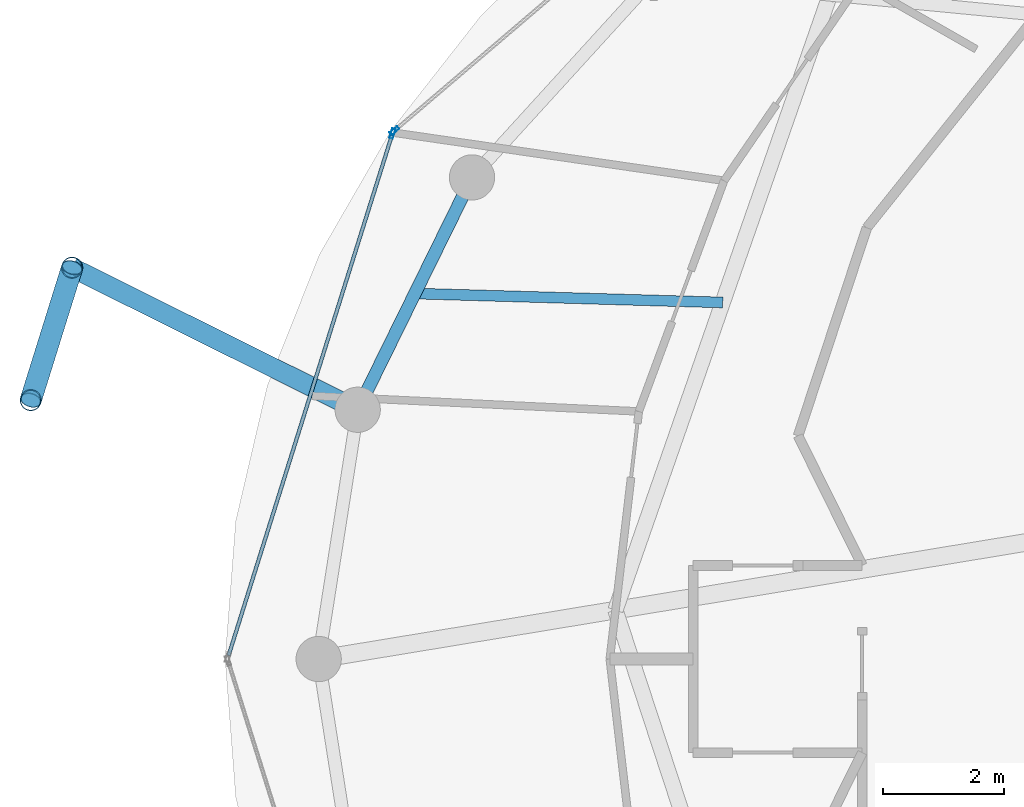
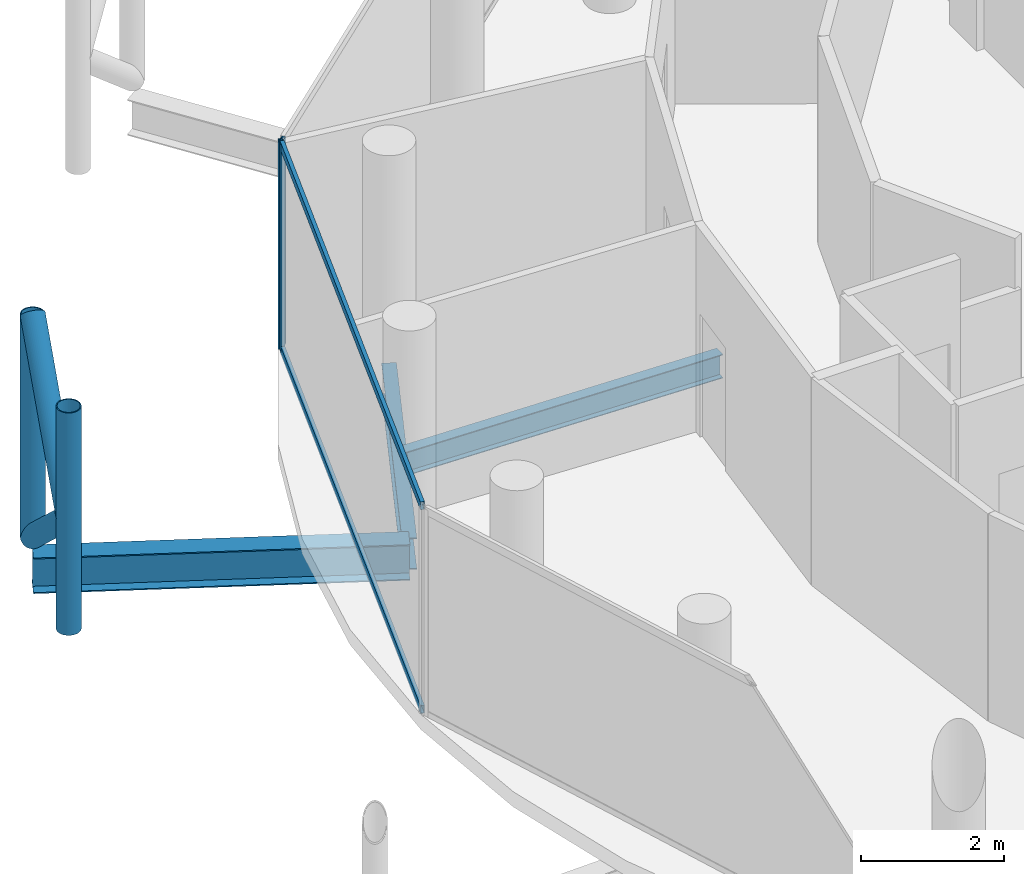
# One storey, part 7 of 24: 8 members, 3 beams, 2 elements without a shape of their own.
"""IFC4 building model written with IfcOpenShell, lengths in metres."""

from ifc_helpers import new_model, si_unit, direction, frame, origin, origin_2d, place, context, subcontext, project, spatial, hollow_rectangle, hollow_circle, i_section, extrude, material, layer, layer_set, material_profile, profile_set, type_object, element, aggregate, save


model = new_model("IFC4")

# Units and contexts
model_context = context("Model", 3, precision=1e-05, world=origin(), true_north=direction((0.0, 1.0)))
body_context = subcontext(model_context, "Body", "Model", "MODEL_VIEW")
ifc_project = project(units=[si_unit("LENGTHUNIT", "METRE"), si_unit("AREAUNIT", "SQUARE_METRE"), si_unit("VOLUMEUNIT", "CUBIC_METRE"), si_unit("PLANEANGLEUNIT", "RADIAN"), si_unit("MASSUNIT", "GRAM", prefix="KILO")], contexts=[model_context])

# Site, building, storey
site_placement = place(None, origin())
site = spatial("IfcSite", under=ifc_project, at=site_placement, CompositionType="ELEMENT")
building_placement = place(site_placement, origin())
building = spatial("IfcBuilding", under=site, at=building_placement, Name="Nuhasar Tower", CompositionType="ELEMENT")
storey_placement = place(building_placement, frame((0.0, 0.0, 263.199951171875)))
storey = spatial("IfcBuildingStorey", under=building, at=storey_placement, Name="L65", CompositionType="ELEMENT", Elevation=263.199951171875)

# Beams
ifc_material_1 = material(Name="Steel S355", Category="steel")
ifc_material_profile_1 = material_profile(ifc_material_1, i_section(OverallWidth=0.177978515625, OverallDepth=0.406005859375, WebThickness=0.0078125, FlangeThickness=0.0126953125, at=origin_2d()), Name="W16X40")
ifc_profile_set_1 = profile_set([ifc_material_profile_1], Name="Steel S355")
beam_type_1 = type_object("IfcBeamType", Name="BM-JST-W16X40", PredefinedType="JOIST", material=ifc_profile_set_1)
beam_1_placement = place(storey_placement, frame((26.739990234375, 32.7041015625, -0.462890625), z_axis=(-0.999579139243, 0.02900938453, 0.0), x_axis=(-0.02900938453, -0.999579139243, 0.0)))
element("IfcBeam", 1, at=beam_1_placement, inside=storey, type_object=beam_type_1, Name="L65 Secondary Floor Joist 07", PredefinedType="JOIST", context=body_context, shape_type="SweptSolid", body=[
    extrude(i_section(OverallWidth=0.177978515625, OverallDepth=0.406005859375, WebThickness=0.0078125, FlangeThickness=0.0126953125, at=origin_2d()), origin(), (0.0, 0.0, 1.0), 5.10009765625),
])
ifc_material_profile_2 = material_profile(ifc_material_1, i_section(OverallWidth=0.2099609375, OverallDepth=0.537109375, WebThickness=0.010986328125, FlangeThickness=0.017333984375, at=origin_2d()), Name="W21X68")
ifc_profile_set_2 = profile_set([ifc_material_profile_2], Name="Steel S355")
beam_type_2 = type_object("IfcBeamType", Name="BM-RING-W21X68", PredefinedType="SPANDREL", material=ifc_profile_set_2)
beam_2_placement = place(storey_placement, frame((22.589111328125, 34.77490234375, -0.529052734375), z_axis=(-0.441533119295, -0.897244952377, 0.0), x_axis=(0.897244952377, -0.441533119295, 0.0)))
element("IfcBeam", 2, at=beam_2_placement, inside=storey, type_object=beam_type_2, Name="L65 Perimeter Ring Spandrel 11", PredefinedType="SPANDREL", context=body_context, shape_type="SweptSolid", body=[
    extrude(i_section(OverallWidth=0.2099609375, OverallDepth=0.537109375, WebThickness=0.010986328125, FlangeThickness=0.017333984375, at=origin_2d()), origin(), (0.0, 0.0, 1.0), 4.28759765625),
])
ifc_material_profile_3 = material_profile(ifc_material_1, i_section(OverallWidth=0.323974609375, OverallDepth=0.611083984375, WebThickness=0.0126953125, FlangeThickness=0.01904296875, at=origin_2d()), Name="W24X104")
ifc_profile_set_3 = profile_set([ifc_material_profile_3], Name="Steel S355")
beam_type_3 = type_object("IfcBeamType", Name="BM-TIE-W24X104", PredefinedType="BEAM", material=ifc_profile_set_3)
beam_3_placement = place(storey_placement, frame((20.696044921875, 30.927978515625, -0.56494140625), z_axis=(-0.895294451274, 0.445474853969, 0.0), x_axis=(-0.445474853969, -0.895294451274, 0.0)))
element("IfcBeam", 3, at=beam_3_placement, inside=storey, type_object=beam_type_3, Name="L65 Exoskeleton Node Tie Beam 06", PredefinedType="BEAM", context=body_context, shape_type="SweptSolid", body=[
    extrude(i_section(OverallWidth=0.323974609375, OverallDepth=0.611083984375, WebThickness=0.0126953125, FlangeThickness=0.01904296875, at=origin_2d()), origin(), (0.0, 0.0, 1.0), 5.281982421875),
])

# Curtain wall, member
ifc_material_2 = material(Name="Aluminium 6063-T6", Category="aluminium")
ifc_layer = layer(ifc_material_2, 0.18994140625)
ifc_layer_set = layer_set([ifc_layer], Name="Aluminium 6063-T6")
curtain_wall_type = type_object("IfcCurtainWallType", Name="CW-Z4-PEN", PredefinedType="NOTDEFINED", material=ifc_layer_set)
curtain_wall_1_placement = place(storey_placement, origin())
curtain_wall_1 = element("IfcCurtainWall", 4, at=curtain_wall_1_placement, inside=storey, type_object=curtain_wall_type, Name="L65 Unitised Curtain Wall 05", PredefinedType="NOTDEFINED")
ifc_material_profile_4 = material_profile(ifc_material_2, hollow_rectangle(XDim=0.06005859375, YDim=0.1650390625, WallThickness=0.0048828125, at=origin_2d()), Name="CWM-5")
ifc_profile_set_4 = profile_set([ifc_material_profile_4], Name="Aluminium 6063-T6")
member_type_1 = type_object("IfcMemberType", Name="CW-MUL-S5", PredefinedType="MULLION", material=ifc_profile_set_4)
member_1_placement = place(storey_placement, frame((21.3037109375, 35.549560546875, 0.0), z_axis=(0.0, 0.0, 1.0), x_axis=(0.649141996205, -0.760667252327, 0.0)))
member_1 = element("IfcMember", 5, at=member_1_placement, type_object=member_type_1, Name="CW-Z4 mullion 2", PredefinedType="MULLION", context=body_context, shape_type="SweptSolid", body=[
    extrude(hollow_rectangle(XDim=0.06005859375, YDim=0.1650390625, WallThickness=0.0048828125, at=origin_2d()), origin(), (0.0, 0.0, 1.0), 3.5400390625),
])
aggregate(curtain_wall_1, [member_1])

# Curtain wall, members
curtain_wall_2_placement = place(storey_placement, origin())
curtain_wall_2 = element("IfcCurtainWall", 6, at=curtain_wall_2_placement, inside=storey, type_object=curtain_wall_type, Name="L65 Unitised Curtain Wall 06", PredefinedType="NOTDEFINED")
member_2_placement = place(storey_placement, frame((21.27197265625, 35.50146484375, 0.0), z_axis=(0.0, 0.0, 1.0), x_axis=(0.954078526601, -0.299556614146, 0.0)))
member_2 = element("IfcMember", 7, at=member_2_placement, type_object=member_type_1, Name="CW-Z4 mullion 1", PredefinedType="MULLION", context=body_context, shape_type="SweptSolid", body=[
    extrude(hollow_rectangle(XDim=0.06005859375, YDim=0.1650390625, WallThickness=0.0048828125, at=origin_2d()), origin(), (0.0, 0.0, 1.0), 3.5400390625),
])
ifc_material_profile_5 = material_profile(ifc_material_2, hollow_rectangle(XDim=0.06005859375, YDim=0.135009765625, WallThickness=0.00439453125, at=origin_2d()), Name="CWT-5")
ifc_profile_set_5 = profile_set([ifc_material_profile_5], Name="Aluminium 6063-T6")
member_type_2 = type_object("IfcMemberType", Name="CW-TRN-S5", PredefinedType="USERDEFINED", material=ifc_profile_set_5)
member_3_placement = place(storey_placement, frame((21.262939453125, 35.47265625, 0.030029296875), z_axis=(-0.29956014073, -0.954077419335, 0.0), x_axis=(0.954077419335, -0.29956014073, 0.0)))
member_3 = element("IfcMember", 8, at=member_3_placement, type_object=member_type_2, Name="CW-Z4 transom 1.1", ObjectType="TRANSOM", PredefinedType="USERDEFINED", context=body_context, shape_type="SweptSolid", body=[
    extrude(hollow_rectangle(XDim=0.06005859375, YDim=0.135009765625, WallThickness=0.00439453125, at=origin_2d()), origin(), (0.0, 0.0, 1.0), 9.0302734375),
])
member_4_placement = place(storey_placement, frame((21.262939453125, 35.47265625, 3.510009765625), z_axis=(-0.29956014073, -0.954077419335, 0.0), x_axis=(0.954077419335, -0.29956014073, 0.0)))
member_4 = element("IfcMember", 9, at=member_4_placement, type_object=member_type_2, Name="CW-Z4 transom 1.2", ObjectType="TRANSOM", PredefinedType="USERDEFINED", context=body_context, shape_type="SweptSolid", body=[
    extrude(hollow_rectangle(XDim=0.06005859375, YDim=0.135009765625, WallThickness=0.00439453125, at=origin_2d()), origin(), (0.0, 0.0, 1.0), 9.0302734375),
])
aggregate(curtain_wall_2, [member_2, member_3, member_4])

# Members
ifc_material_3 = material(Name="Steel S460", Category="steel")
ifc_material_profile_6 = material_profile(ifc_material_3, hollow_circle(Radius=0.177734375, WallThickness=0.015869140625, at=origin_2d()), Name="HSS355.6X15.9")
ifc_profile_set_6 = profile_set([ifc_material_profile_6], Name="Steel S460")
member_type_3 = type_object("IfcMemberType", Name="EXO-BRONZE-356", PredefinedType="BRACE", material=ifc_profile_set_6)
for number, where, z_axis, x_axis, name in (
    (10, (15.967041015625, 33.281005859375, 0.0), (0.0, 0.0, 1.0), (1.0, 0.0, 0.0), "L65 Exoskeleton Chord Column EC-06A"),
    (11, (15.281982421875, 31.0859375, 0.0), (0.0, 0.0, 1.0), (1.0, 0.0, 0.0), "L65 Exoskeleton Chord Column EC-06B"),
):
    element("IfcMember", number, at=place(storey_placement, frame(where, z_axis=z_axis, x_axis=x_axis)), inside=storey, type_object=member_type_3, Name=name, PredefinedType="BRACE", context=body_context, shape_type="SweptSolid", body=[
        extrude(hollow_circle(Radius=0.177734375, WallThickness=0.015869140625, at=origin_2d()), origin(), (0.0, 0.0, 1.0), 3.800048828125),
    ])
for number, where, z_axis, x_axis, name in (
    (12, (15.967041015625, 33.281005859375, 0.0), (-0.22965555433, -0.735863538482, 0.636995430987), (0.954591372974, -0.297918295247, 0.0), "L65 Bronze Diagrid Brace W1-06"),
    (13, (15.281982421875, 31.0859375, 1.900146484375), (0.229667527485, 0.735901902929, 0.636946792192), (-0.954591372974, 0.297918295247, 0.0), "L65 Bronze Diagrid Brace W2-06"),
):
    element("IfcMember", number, at=place(storey_placement, frame(where, z_axis=z_axis, x_axis=x_axis)), inside=storey, type_object=member_type_3, Name=name, PredefinedType="BRACE", context=body_context, shape_type="SweptSolid", body=[
        extrude(hollow_circle(Radius=0.177734375, WallThickness=0.015869140625, at=origin_2d()), origin(), (0.0, 0.0, 1.0), 2.98291015625),
    ])

save(model, "model.ifc")
